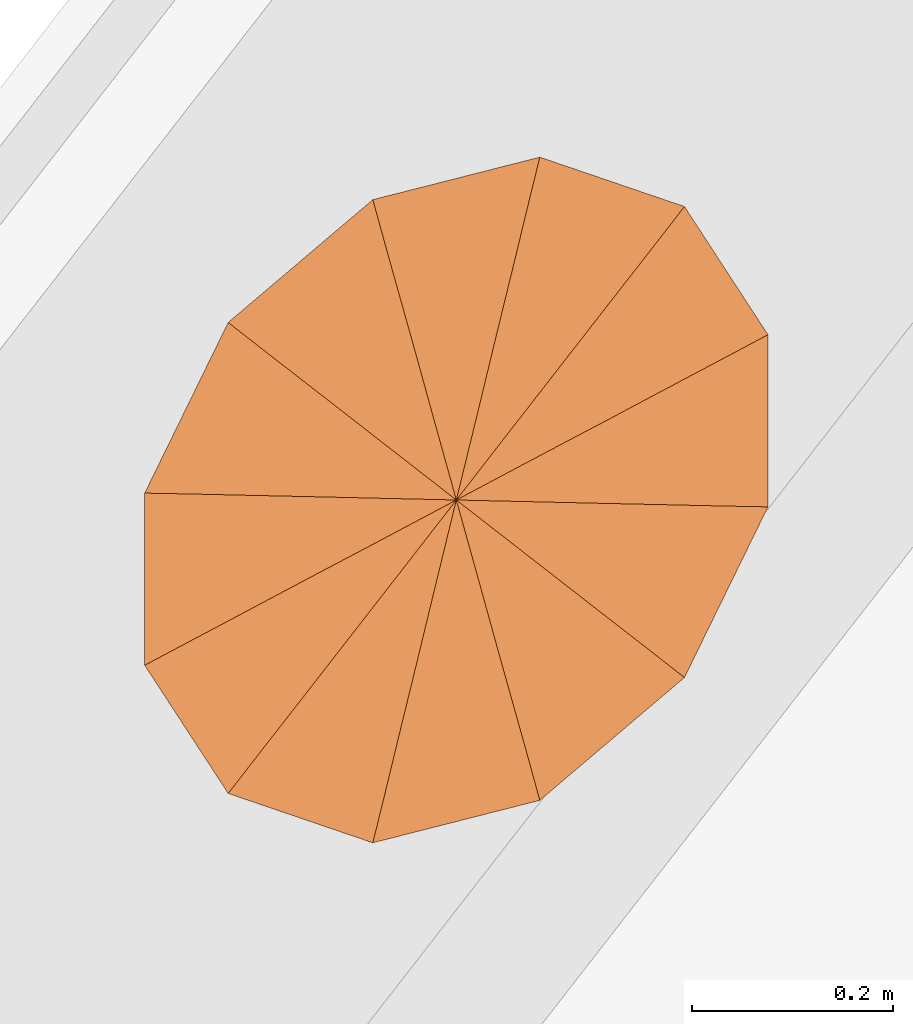
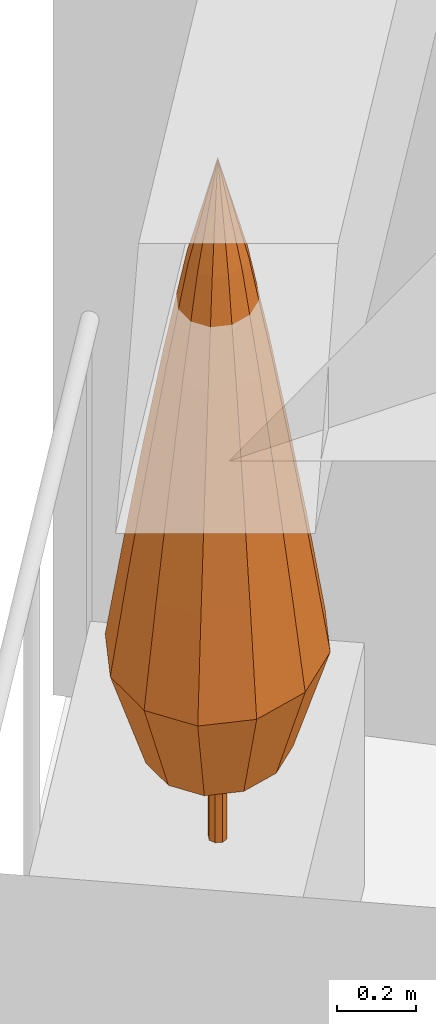
# One storey, part 12 of 12: 1 geographic element.
"""IFC4 building model written with IfcOpenShell, lengths in metres."""

from ifc_helpers import new_model, si_unit, direction, frame, origin, place, context, subcontext, project, spatial, faceted_brep, material, constituent, constituent_set, type_object, element, save


model = new_model("IFC4")

# Units and contexts
model_context = context("Model", 3, precision=1e-05, world=origin(), true_north=direction((0.0, 1.0)))
body_context = subcontext(model_context, "Body", "Model", "MODEL_VIEW")
ifc_project = project(units=[si_unit("LENGTHUNIT", "METRE"), si_unit("AREAUNIT", "SQUARE_METRE"), si_unit("VOLUMEUNIT", "CUBIC_METRE"), si_unit("PLANEANGLEUNIT", "RADIAN"), si_unit("MASSUNIT", "GRAM", prefix="KILO")], contexts=[model_context])

# Site, building, storey
site_placement = place(None, origin())
site = spatial("IfcSite", under=ifc_project, at=site_placement, CompositionType="ELEMENT")
building_placement = place(site_placement, origin())
building = spatial("IfcBuilding", under=site, at=building_placement, Name="Taillehof Tower", CompositionType="ELEMENT")
storey_placement = place(building_placement, frame((0.0, 0.0, 243.199951171875)))
storey = spatial("IfcBuildingStorey", under=building, at=storey_placement, Name="L69", CompositionType="ELEMENT", Elevation=243.199951171875)

# Geographic element
ifc_material_1 = material(Name="Tree bark", Category="timber")
ifc_constituent_1 = constituent(ifc_material_1, Name="Trunk", Category="timber")
ifc_material_2 = material(Name="Tree foliage")
ifc_constituent_2 = constituent(ifc_material_2, Name="Crown")
ifc_constituent_set = constituent_set(constituents=[ifc_constituent_1, ifc_constituent_2], Name="Tree TR5 Columnar juniper")
geographic_element_type = type_object("IfcGeographicElementType", Name="Tree TR5 Columnar juniper", PredefinedType="USERDEFINED", material=ifc_constituent_set)
geographic_element_placement = place(storey_placement, frame((-19.834716796875, 12.753662109375, 0.75)))
element("IfcGeographicElement", 1, at=geographic_element_placement, inside=storey, type_object=geographic_element_type, Name="Tree TR5 Columnar juniper", ObjectType="TREE", PredefinedType="USERDEFINED", context=body_context, shape_type="Brep", body=[
    faceted_brep([(0.02490234375, 0.0, 0.0), (0.017578125, 0.017578125, 0.0), (0.017578125, 0.017578125, 0.929931640625), (0.02490234375, 0.0, 0.929931640625), (0.0, 0.02490234375, 0.0), (0.0, 0.02490234375, 0.929931640625), (-0.017578125, 0.017578125, 0.0), (-0.017578125, 0.017578125, 0.929931640625), (-0.02490234375, 0.0, 0.0), (-0.02490234375, 0.0, 0.929931640625), (-0.017578125, -0.017578125, 0.0), (-0.017578125, -0.017578125, 0.929931640625), (0.0, -0.02490234375, 0.0), (0.0, -0.02490234375, 0.929931640625), (0.017578125, -0.017578125, 0.0), (0.017578125, -0.017578125, 0.929931640625)], [[[0, 1, 2, 3]], [[1, 4, 5, 2]], [[4, 6, 7, 5]], [[6, 8, 9, 7]], [[8, 10, 11, 9]], [[10, 12, 13, 11]], [[12, 14, 15, 13]], [[14, 0, 3, 15]], [[14, 12, 10, 8, 6, 4, 1, 0]], [[3, 2, 5, 7, 9, 11, 13, 15]]]),
    faceted_brep([(-0.15185546875, -0.1953125, 0.300048828125), (-0.0556640625, -0.228271484375, 0.300048828125), (-0.0830078125, -0.3408203125, 0.60009765625), (-0.226806640625, -0.291748046875, 0.60009765625), (0.0556640625, -0.199951171875, 0.300048828125), (0.0830078125, -0.298583984375, 0.60009765625), (0.15185546875, -0.1181640625, 0.300048828125), (0.226806640625, -0.176513671875, 0.60009765625), (0.20751953125, -0.004638671875, 0.300048828125), (0.309814453125, -0.0068359375, 0.60009765625), (0.20751953125, 0.110107421875, 0.300048828125), (0.309814453125, 0.164306640625, 0.60009765625), (0.15185546875, 0.1953125, 0.300048828125), (0.226806640625, 0.291748046875, 0.60009765625), (0.0556640625, 0.228271484375, 0.300048828125), (0.0830078125, 0.3408203125, 0.60009765625), (-0.0556640625, 0.199951171875, 0.300048828125), (-0.0830078125, 0.298583984375, 0.60009765625), (-0.15185546875, 0.1181640625, 0.300048828125), (-0.226806640625, 0.176513671875, 0.60009765625), (-0.20751953125, 0.004638671875, 0.300048828125), (-0.309814453125, 0.0068359375, 0.60009765625), (-0.20751953125, -0.110107421875, 0.300048828125), (-0.309814453125, -0.164306640625, 0.60009765625), (-0.0693359375, -0.28515625, 0.89990234375), (-0.189697265625, -0.243896484375, 0.89990234375), (0.069580078125, -0.249755859375, 0.89990234375), (0.189697265625, -0.1474609375, 0.89990234375), (0.25927734375, -0.005859375, 0.89990234375), (0.25927734375, 0.137451171875, 0.89990234375), (0.189697265625, 0.243896484375, 0.89990234375), (0.0693359375, 0.28515625, 0.89990234375), (-0.069580078125, 0.249755859375, 0.89990234375), (-0.189697265625, 0.1474609375, 0.89990234375), (-0.25927734375, 0.005859375, 0.89990234375), (-0.25927734375, -0.137451171875, 0.89990234375), (-0.05517578125, -0.2265625, 1.199951171875), (-0.150634765625, -0.19384765625, 1.199951171875), (0.05517578125, -0.198486328125, 1.199951171875), (0.150634765625, -0.1171875, 1.199951171875), (0.205810546875, -0.004638671875, 1.199951171875), (0.205810546875, 0.109130859375, 1.199951171875), (0.150634765625, 0.19384765625, 1.199951171875), (0.05517578125, 0.2265625, 1.199951171875), (-0.05517578125, 0.198486328125, 1.199951171875), (-0.150634765625, 0.1171875, 1.199951171875), (-0.205810546875, 0.004638671875, 1.199951171875), (-0.205810546875, -0.109130859375, 1.199951171875), (-0.039794921875, -0.163818359375, 1.5), (-0.10888671875, -0.14013671875, 1.5), (0.039794921875, -0.1435546875, 1.5), (0.10888671875, -0.084716796875, 1.5), (0.14892578125, -0.00341796875, 1.5), (0.14892578125, 0.078857421875, 1.5), (0.10888671875, 0.14013671875, 1.5), (0.039794921875, 0.163818359375, 1.5), (-0.039794921875, 0.1435546875, 1.5), (-0.10888671875, 0.084716796875, 1.5), (-0.14892578125, 0.00341796875, 1.5), (-0.14892578125, -0.078857421875, 1.5), (-0.02294921875, -0.093994140625, 1.800048828125), (-0.0625, -0.08056640625, 1.800048828125), (0.02294921875, -0.08251953125, 1.800048828125), (0.0625, -0.048583984375, 1.800048828125), (0.08544921875, -0.001953125, 1.800048828125), (0.08544921875, 0.04541015625, 1.800048828125), (0.0625, 0.08056640625, 1.800048828125), (0.02294921875, 0.093994140625, 1.800048828125), (-0.02294921875, 0.08251953125, 1.800048828125), (-0.0625, 0.048583984375, 1.800048828125), (-0.08544921875, 0.001953125, 1.800048828125), (-0.08544921875, -0.04541015625, 1.800048828125), (0.0, 0.0, 2.10009765625)], [[[0, 1, 2, 3]], [[1, 4, 5, 2]], [[4, 6, 7, 5]], [[6, 8, 9, 7]], [[8, 10, 11, 9]], [[10, 12, 13, 11]], [[12, 14, 15, 13]], [[14, 16, 17, 15]], [[16, 18, 19, 17]], [[18, 20, 21, 19]], [[20, 22, 23, 21]], [[22, 0, 3, 23]], [[3, 2, 24, 25]], [[2, 5, 26, 24]], [[5, 7, 27, 26]], [[7, 9, 28, 27]], [[9, 11, 29, 28]], [[11, 13, 30, 29]], [[13, 15, 31, 30]], [[15, 17, 32, 31]], [[17, 19, 33, 32]], [[19, 21, 34, 33]], [[21, 23, 35, 34]], [[23, 3, 25, 35]], [[25, 24, 36, 37]], [[24, 26, 38, 36]], [[26, 27, 39, 38]], [[27, 28, 40, 39]], [[28, 29, 41, 40]], [[29, 30, 42, 41]], [[30, 31, 43, 42]], [[31, 32, 44, 43]], [[32, 33, 45, 44]], [[33, 34, 46, 45]], [[34, 35, 47, 46]], [[35, 25, 37, 47]], [[37, 36, 48, 49]], [[36, 38, 50, 48]], [[38, 39, 51, 50]], [[39, 40, 52, 51]], [[40, 41, 53, 52]], [[41, 42, 54, 53]], [[42, 43, 55, 54]], [[43, 44, 56, 55]], [[44, 45, 57, 56]], [[45, 46, 58, 57]], [[46, 47, 59, 58]], [[47, 37, 49, 59]], [[49, 48, 60, 61]], [[48, 50, 62, 60]], [[50, 51, 63, 62]], [[51, 52, 64, 63]], [[52, 53, 65, 64]], [[53, 54, 66, 65]], [[54, 55, 67, 66]], [[55, 56, 68, 67]], [[56, 57, 69, 68]], [[57, 58, 70, 69]], [[58, 59, 71, 70]], [[59, 49, 61, 71]], [[61, 60, 72]], [[60, 62, 72]], [[62, 63, 72]], [[63, 64, 72]], [[64, 65, 72]], [[65, 66, 72]], [[66, 67, 72]], [[67, 68, 72]], [[68, 69, 72]], [[69, 70, 72]], [[70, 71, 72]], [[71, 61, 72]], [[22, 20, 18, 16, 14, 12, 10, 8, 6, 4, 1, 0]]]),
])

save(model, "model.ifc")
